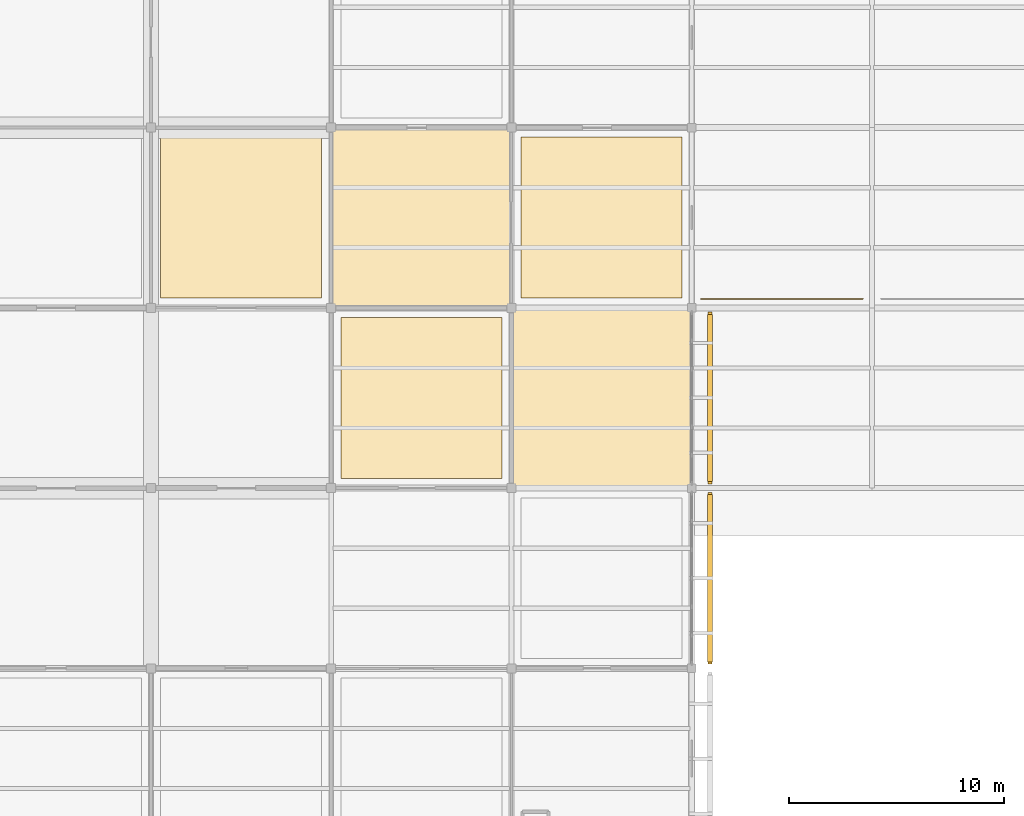
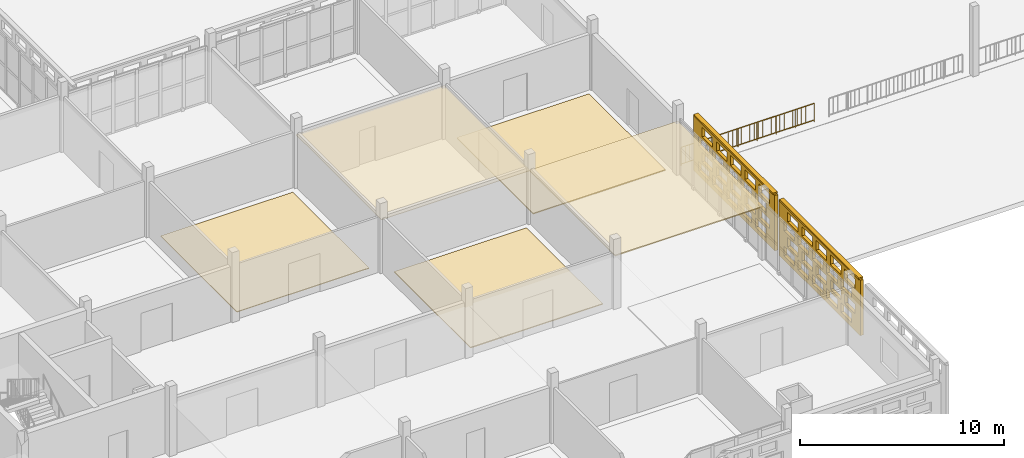
# One storey, part 118 of 166: 7 coverings, 2 shading devices, 1 railing, 40 openings.
"""IFC4 building model written with IfcOpenShell, lengths in metres."""

from ifc_helpers import new_model, si_unit, direction, frame, frame_2d, origin, origin_2d, place, context, subcontext, project, spatial, rectangle, circle, extrude, material, layer, layer_set, type_object, element, save


model = new_model("IFC4")

# Units and contexts
model_context = context("Model", 3, precision=1e-05, world=origin(), true_north=direction((0.0, 1.0)))
body_context = subcontext(model_context, "Body", "Model", "MODEL_VIEW")
ifc_project = project(units=[si_unit("LENGTHUNIT", "METRE"), si_unit("AREAUNIT", "SQUARE_METRE"), si_unit("VOLUMEUNIT", "CUBIC_METRE"), si_unit("PLANEANGLEUNIT", "RADIAN"), si_unit("MASSUNIT", "GRAM", prefix="KILO")], contexts=[model_context])

# Site, building, storey
site_placement = place(None, origin())
site = spatial("IfcSite", under=ifc_project, at=site_placement, CompositionType="ELEMENT")
building_placement = place(site_placement, origin())
building = spatial("IfcBuilding", under=site, at=building_placement, Name="Varnapada Polytechnic", CompositionType="ELEMENT")
storey_placement = place(building_placement, frame((0.0, 0.0, 9.60009765625)))
storey = spatial("IfcBuildingStorey", under=building, at=storey_placement, Name="L02", CompositionType="ELEMENT", Elevation=9.60009765625)

# Coverings
ifc_material_1 = material(Name="End-Grain Timber Studio Block Flooring", Category="wood")
ifc_layer_1 = layer(ifc_material_1, 0.054931640625)
ifc_layer_set_1 = layer_set([ifc_layer_1], Name="End-Grain Timber Studio Block Flooring")
covering_type_1 = type_object("IfcCoveringType", Name="Floor Finish FLR-04", PredefinedType="FLOORING", material=ifc_layer_set_1)
for number, where, z_axis, x_axis, name in (
    (1, (46.199951171875, 21.0, 0.0), (0.0, 0.0, 1.0), (1.0, 0.0, 0.0), "L02 floor finish panel (6,3)"),
    (2, (54.60009765625, 29.39990234375, 0.0), (0.0, 0.0, 1.0), (1.0, 0.0, 0.0), "L02 floor finish panel (7,4)"),
):
    element("IfcCovering", number, at=place(storey_placement, frame(where, z_axis=z_axis, x_axis=x_axis)), inside=storey, type_object=covering_type_1, Name=name, PredefinedType="FLOORING", context=body_context, shape_type="SweptSolid", body=[
        extrude(rectangle(XDim=7.5, YDim=7.5, at=origin_2d()), origin(), (0.0, 0.0, 1.0), 0.054931640625),
    ])
ifc_material_2 = material(Name="Acoustic Rubber Seminar Flooring")
ifc_layer_2 = layer(ifc_material_2, 0.0400390625)
ifc_layer_set_2 = layer_set([ifc_layer_2], Name="Acoustic Rubber Seminar Flooring")
covering_type_2 = type_object("IfcCoveringType", Name="Floor Finish FLR-06", PredefinedType="FLOORING", material=ifc_layer_set_2)
covering_1_placement = place(storey_placement, frame((37.800048828125, 29.39990234375, 0.0), z_axis=(0.0, 0.0, 1.0), x_axis=(1.0, 0.0, 0.0)))
element("IfcCovering", 3, at=covering_1_placement, inside=storey, type_object=covering_type_2, Name="L02 floor finish panel (5,4)", PredefinedType="FLOORING", context=body_context, shape_type="SweptSolid", body=[
    extrude(rectangle(XDim=7.5, YDim=7.5, at=origin_2d()), origin(), (0.0, 0.0, 1.0), 0.0400390625),
])
ifc_material_3 = material(Name="Moisture-Resistant Aluminum Baffle Ceiling", Category="aluminium")
ifc_layer_3 = layer(ifc_material_3, 0.030029296875)
ifc_layer_set_3 = layer_set([ifc_layer_3], Name="Moisture-Resistant Aluminum Baffle Ceiling")
covering_type_3 = type_object("IfcCoveringType", Name="Suspended Ceiling CLG-03", PredefinedType="CEILING", material=ifc_layer_set_3)
covering_2_placement = place(storey_placement, frame((46.199951171875, 29.39990234375, 3.03466796875), z_axis=(0.0, 0.0, 1.0), x_axis=(1.0, 0.0, 0.0)))
element("IfcCovering", 4, at=covering_2_placement, inside=storey, type_object=covering_type_3, Name="L02 suspended acoustic ceiling (6,4)", PredefinedType="CEILING", context=body_context, shape_type="SweptSolid", body=[
    extrude(rectangle(XDim=8.419921875, YDim=8.419921875, at=origin_2d()), origin(), (0.0, 0.0, 1.0), 0.030029296875),
])
ifc_material_4 = material(Name="Deep Acoustic Auditorium Cloud Baffle")
ifc_layer_4 = layer(ifc_material_4, 0.06494140625)
ifc_layer_set_4 = layer_set([ifc_layer_4], Name="Deep Acoustic Auditorium Cloud Baffle")
covering_type_4 = type_object("IfcCoveringType", Name="Suspended Ceiling CLG-07", PredefinedType="CEILING", material=ifc_layer_set_4)
covering_3_placement = place(storey_placement, frame((54.60009765625, 21.0, 3.017333984375), z_axis=(0.0, 0.0, 1.0), x_axis=(1.0, 0.0, 0.0)))
element("IfcCovering", 5, at=covering_3_placement, inside=storey, type_object=covering_type_4, Name="L02 suspended acoustic ceiling (7,3)", PredefinedType="CEILING", context=body_context, shape_type="SweptSolid", body=[
    extrude(rectangle(XDim=8.419921875, YDim=8.419921875, at=origin_2d()), origin(), (0.0, 0.0, 1.0), 0.06494140625),
])

# Railing
ifc_material_5 = material(Name="Painted galvanized steel", Category="steel")
railing_type = type_object("IfcRailingType", Name="Terrace Guard Rail GRD-01", PredefinedType="BALUSTRADE", material=ifc_material_5)
railing_placement = place(storey_placement, frame((59.219970703125, 25.6201171875, 0.0)))
element("IfcRailing", 6, at=railing_placement, inside=storey, type_object=railing_type, Name="L02 terrace perimeter guard rail 1", PredefinedType="BALUSTRADE", context=body_context, shape_type="SweptSolid", body=[
    extrude(circle(Radius=0.02392578125, at=origin_2d()), frame((0.0, 0.0, 1.09619140625), z_axis=(1.0, 0.0, 0.0), x_axis=(0.0, 1.0, 0.0)), (0.0, 0.0, 1.0), 7.56005859375),
    extrude(circle(Radius=0.02392578125, at=origin_2d()), frame((0.0, 0.0, 0.10009765625), z_axis=(1.0, 0.0, 0.0), x_axis=(0.0, 1.0, 0.0)), (0.0, 0.0, 1.0), 7.56005859375),
    extrude(circle(Radius=0.02099609375, at=origin_2d()), origin(), (0.0, 0.0, 1.0), 1.072021484375),
    extrude(circle(Radius=0.02099609375, at=origin_2d()), frame((1.080078125, 0.0, 0.0)), (0.0, 0.0, 1.0), 1.072021484375),
    extrude(circle(Radius=0.02099609375, at=origin_2d()), frame((2.159912109375, 0.0, 0.0)), (0.0, 0.0, 1.0), 1.072021484375),
    extrude(circle(Radius=0.02099609375, at=origin_2d()), frame((3.239990234375, 0.0, 0.0)), (0.0, 0.0, 1.0), 1.072021484375),
    extrude(circle(Radius=0.02099609375, at=origin_2d()), frame((4.320068359375, 0.0, 0.0)), (0.0, 0.0, 1.0), 1.072021484375),
    extrude(circle(Radius=0.02099609375, at=origin_2d()), frame((5.400146484375, 0.0, 0.0)), (0.0, 0.0, 1.0), 1.072021484375),
    extrude(circle(Radius=0.02099609375, at=origin_2d()), frame((6.47998046875, 0.0, 0.0)), (0.0, 0.0, 1.0), 1.072021484375),
    extrude(circle(Radius=0.02099609375, at=origin_2d()), frame((7.56005859375, 0.0, 0.0)), (0.0, 0.0, 1.0), 1.072021484375),
    extrude(circle(Radius=0.010009765625, at=origin_2d()), frame((0.243896484375, 0.0, 0.10009765625)), (0.0, 0.0, 1.0), 0.971923828125),
    extrude(circle(Radius=0.010009765625, at=origin_2d()), frame((0.48779296875, 0.0, 0.10009765625)), (0.0, 0.0, 1.0), 0.971923828125),
    extrude(circle(Radius=0.010009765625, at=origin_2d()), frame((0.731689453125, 0.0, 0.10009765625)), (0.0, 0.0, 1.0), 0.971923828125),
    extrude(circle(Radius=0.010009765625, at=origin_2d()), frame((0.9755859375, 0.0, 0.10009765625)), (0.0, 0.0, 1.0), 0.971923828125),
    extrude(circle(Radius=0.010009765625, at=origin_2d()), frame((1.219482421875, 0.0, 0.10009765625)), (0.0, 0.0, 1.0), 0.971923828125),
    extrude(circle(Radius=0.010009765625, at=origin_2d()), frame((1.463134765625, 0.0, 0.10009765625)), (0.0, 0.0, 1.0), 0.971923828125),
    extrude(circle(Radius=0.010009765625, at=origin_2d()), frame((1.70703125, 0.0, 0.10009765625)), (0.0, 0.0, 1.0), 0.971923828125),
    extrude(circle(Radius=0.010009765625, at=origin_2d()), frame((1.950927734375, 0.0, 0.10009765625)), (0.0, 0.0, 1.0), 0.971923828125),
    extrude(circle(Radius=0.010009765625, at=origin_2d()), frame((2.19482421875, 0.0, 0.10009765625)), (0.0, 0.0, 1.0), 0.971923828125),
    extrude(circle(Radius=0.010009765625, at=origin_2d()), frame((2.438720703125, 0.0, 0.10009765625)), (0.0, 0.0, 1.0), 0.971923828125),
    extrude(circle(Radius=0.010009765625, at=origin_2d()), frame((2.6826171875, 0.0, 0.10009765625)), (0.0, 0.0, 1.0), 0.971923828125),
    extrude(circle(Radius=0.010009765625, at=origin_2d()), frame((2.926513671875, 0.0, 0.10009765625)), (0.0, 0.0, 1.0), 0.971923828125),
    extrude(circle(Radius=0.010009765625, at=origin_2d()), frame((3.17041015625, 0.0, 0.10009765625)), (0.0, 0.0, 1.0), 0.971923828125),
    extrude(circle(Radius=0.010009765625, at=origin_2d()), frame((3.414306640625, 0.0, 0.10009765625)), (0.0, 0.0, 1.0), 0.971923828125),
    extrude(circle(Radius=0.010009765625, at=origin_2d()), frame((3.658203125, 0.0, 0.10009765625)), (0.0, 0.0, 1.0), 0.971923828125),
    extrude(circle(Radius=0.010009765625, at=origin_2d()), frame((3.90185546875, 0.0, 0.10009765625)), (0.0, 0.0, 1.0), 0.971923828125),
    extrude(circle(Radius=0.010009765625, at=origin_2d()), frame((4.145751953125, 0.0, 0.10009765625)), (0.0, 0.0, 1.0), 0.971923828125),
    extrude(circle(Radius=0.010009765625, at=origin_2d()), frame((4.3896484375, 0.0, 0.10009765625)), (0.0, 0.0, 1.0), 0.971923828125),
    extrude(circle(Radius=0.010009765625, at=origin_2d()), frame((4.633544921875, 0.0, 0.10009765625)), (0.0, 0.0, 1.0), 0.971923828125),
    extrude(circle(Radius=0.010009765625, at=origin_2d()), frame((4.87744140625, 0.0, 0.10009765625)), (0.0, 0.0, 1.0), 0.971923828125),
    extrude(circle(Radius=0.010009765625, at=origin_2d()), frame((5.121337890625, 0.0, 0.10009765625)), (0.0, 0.0, 1.0), 0.971923828125),
    extrude(circle(Radius=0.010009765625, at=origin_2d()), frame((5.365234375, 0.0, 0.10009765625)), (0.0, 0.0, 1.0), 0.971923828125),
    extrude(circle(Radius=0.010009765625, at=origin_2d()), frame((5.609130859375, 0.0, 0.10009765625)), (0.0, 0.0, 1.0), 0.971923828125),
    extrude(circle(Radius=0.010009765625, at=origin_2d()), frame((5.85302734375, 0.0, 0.10009765625)), (0.0, 0.0, 1.0), 0.971923828125),
    extrude(circle(Radius=0.010009765625, at=origin_2d()), frame((6.096923828125, 0.0, 0.10009765625)), (0.0, 0.0, 1.0), 0.971923828125),
    extrude(circle(Radius=0.010009765625, at=origin_2d()), frame((6.340576171875, 0.0, 0.10009765625)), (0.0, 0.0, 1.0), 0.971923828125),
    extrude(circle(Radius=0.010009765625, at=origin_2d()), frame((6.58447265625, 0.0, 0.10009765625)), (0.0, 0.0, 1.0), 0.971923828125),
    extrude(circle(Radius=0.010009765625, at=origin_2d()), frame((6.828369140625, 0.0, 0.10009765625)), (0.0, 0.0, 1.0), 0.971923828125),
    extrude(circle(Radius=0.010009765625, at=origin_2d()), frame((7.072265625, 0.0, 0.10009765625)), (0.0, 0.0, 1.0), 0.971923828125),
    extrude(circle(Radius=0.010009765625, at=origin_2d()), frame((7.316162109375, 0.0, 0.10009765625)), (0.0, 0.0, 1.0), 0.971923828125),
])

# Covering, openings
ifc_material_6 = material(Name="Earth-toned architectural terracotta screen block", Category="masonry")
ifc_layer_5 = layer(ifc_material_6, 0.1201171875)
ifc_layer_set_5 = layer_set([ifc_layer_5], Name="Earth-toned architectural terracotta screen block")
covering_type_5 = type_object("IfcCoveringType", Name="Terracotta Screen Cladding CLD-01", PredefinedType="CLADDING", material=ifc_layer_set_5)
covering_4_placement = place(storey_placement, frame((59.64990234375, 16.60009765625, 0.0), z_axis=(0.0, 0.0, 1.0), x_axis=(0.0, -1.0, 0.0)))
covering_4 = element("IfcCovering", 7, at=covering_4_placement, inside=storey, type_object=covering_type_5, Name="L02 perforated terracotta block screen (40)", PredefinedType="CLADDING", context=body_context, shape_type="SweptSolid", body=[
    extrude(rectangle(XDim=8.0, YDim=0.179931640625, at=frame_2d((4.0, 0.0))), origin(), (0.0, 0.0, 1.0), 3.31982421875),
])
opening_1_placement = place(covering_4_placement, frame((0.5, 0.0, 0.265625)))
element("IfcOpeningElement", 8, at=opening_1_placement, cuts=covering_4, Name="Screen perforation TBS-L02-039.1", PredefinedType="OPENING", context=body_context, shape_type="SweptSolid", body=[
    extrude(rectangle(XDim=1.0400390625, YDim=0.5810546875, at=frame_2d((0.52001953125, 0.29052734375))), frame((0.0, 0.099853515625, 0.0), z_axis=(0.0, -1.0, 0.0), x_axis=(1.0, 0.0, 0.0)), (0.0, 0.0, 1.0), 0.199951171875),
])
opening_2_placement = place(covering_4_placement, frame((1.89990234375, 0.0, 0.265625)))
element("IfcOpeningElement", 9, at=opening_2_placement, cuts=covering_4, Name="Screen perforation TBS-L02-039.2", PredefinedType="OPENING", context=body_context, shape_type="SweptSolid", body=[
    extrude(rectangle(XDim=1.0400390625, YDim=0.5810546875, at=frame_2d((0.52001953125, 0.29052734375))), frame((0.0, 0.099853515625, 0.0), z_axis=(0.0, -1.0, 0.0), x_axis=(1.0, 0.0, 0.0)), (0.0, 0.0, 1.0), 0.199951171875),
])
opening_3_placement = place(covering_4_placement, frame((3.300048828125, 0.0, 0.265625)))
element("IfcOpeningElement", 10, at=opening_3_placement, cuts=covering_4, Name="Screen perforation TBS-L02-039.3", PredefinedType="OPENING", context=body_context, shape_type="SweptSolid", body=[
    extrude(rectangle(XDim=1.0400390625, YDim=0.5810546875, at=frame_2d((0.52001953125, 0.29052734375))), frame((0.0, 0.099853515625, 0.0), z_axis=(0.0, -1.0, 0.0), x_axis=(1.0, 0.0, 0.0)), (0.0, 0.0, 1.0), 0.199951171875),
])
opening_4_placement = place(covering_4_placement, frame((4.699951171875, 0.0, 0.265625)))
element("IfcOpeningElement", 11, at=opening_4_placement, cuts=covering_4, Name="Screen perforation TBS-L02-039.4", PredefinedType="OPENING", context=body_context, shape_type="SweptSolid", body=[
    extrude(rectangle(XDim=1.0400390625, YDim=0.5810546875, at=frame_2d((0.52001953125, 0.29052734375))), frame((0.0, 0.099853515625, 0.0), z_axis=(0.0, -1.0, 0.0), x_axis=(1.0, 0.0, 0.0)), (0.0, 0.0, 1.0), 0.199951171875),
])
opening_5_placement = place(covering_4_placement, frame((6.10009765625, 0.0, 0.265625)))
element("IfcOpeningElement", 12, at=opening_5_placement, cuts=covering_4, Name="Screen perforation TBS-L02-039.5", PredefinedType="OPENING", context=body_context, shape_type="SweptSolid", body=[
    extrude(rectangle(XDim=1.0400390625, YDim=0.5810546875, at=frame_2d((0.52001953125, 0.29052734375))), frame((0.0, 0.099853515625, 0.0), z_axis=(0.0, -1.0, 0.0), x_axis=(1.0, 0.0, 0.0)), (0.0, 0.0, 1.0), 0.199951171875),
])
opening_6_placement = place(covering_4_placement, frame((0.860107421875, 0.0, 1.0126953125)))
element("IfcOpeningElement", 13, at=opening_6_placement, cuts=covering_4, Name="Screen perforation TBS-L02-039.6", PredefinedType="OPENING", context=body_context, shape_type="SweptSolid", body=[
    extrude(rectangle(XDim=1.0400390625, YDim=0.5810546875, at=frame_2d((0.52001953125, 0.29052734375))), frame((0.0, 0.099853515625, 0.0), z_axis=(0.0, -1.0, 0.0), x_axis=(1.0, 0.0, 0.0)), (0.0, 0.0, 1.0), 0.199951171875),
])
opening_7_placement = place(covering_4_placement, frame((2.260009765625, 0.0, 1.0126953125)))
element("IfcOpeningElement", 14, at=opening_7_placement, cuts=covering_4, Name="Screen perforation TBS-L02-039.7", PredefinedType="OPENING", context=body_context, shape_type="SweptSolid", body=[
    extrude(rectangle(XDim=1.0400390625, YDim=0.5810546875, at=frame_2d((0.52001953125, 0.29052734375))), frame((0.0, 0.099853515625, 0.0), z_axis=(0.0, -1.0, 0.0), x_axis=(1.0, 0.0, 0.0)), (0.0, 0.0, 1.0), 0.199951171875),
])
opening_8_placement = place(covering_4_placement, frame((3.659912109375, 0.0, 1.0126953125)))
element("IfcOpeningElement", 15, at=opening_8_placement, cuts=covering_4, Name="Screen perforation TBS-L02-039.8", PredefinedType="OPENING", context=body_context, shape_type="SweptSolid", body=[
    extrude(rectangle(XDim=1.0400390625, YDim=0.5810546875, at=frame_2d((0.52001953125, 0.29052734375))), frame((0.0, 0.099853515625, 0.0), z_axis=(0.0, -1.0, 0.0), x_axis=(1.0, 0.0, 0.0)), (0.0, 0.0, 1.0), 0.199951171875),
])
opening_9_placement = place(covering_4_placement, frame((5.06005859375, 0.0, 1.0126953125)))
element("IfcOpeningElement", 16, at=opening_9_placement, cuts=covering_4, Name="Screen perforation TBS-L02-039.9", PredefinedType="OPENING", context=body_context, shape_type="SweptSolid", body=[
    extrude(rectangle(XDim=1.0400390625, YDim=0.5810546875, at=frame_2d((0.52001953125, 0.29052734375))), frame((0.0, 0.099853515625, 0.0), z_axis=(0.0, -1.0, 0.0), x_axis=(1.0, 0.0, 0.0)), (0.0, 0.0, 1.0), 0.199951171875),
])
opening_10_placement = place(covering_4_placement, frame((6.4599609375, 0.0, 1.0126953125)))
element("IfcOpeningElement", 17, at=opening_10_placement, cuts=covering_4, Name="Screen perforation TBS-L02-039.10", PredefinedType="OPENING", context=body_context, shape_type="SweptSolid", body=[
    extrude(rectangle(XDim=1.0400390625, YDim=0.5810546875, at=frame_2d((0.52001953125, 0.29052734375))), frame((0.0, 0.099853515625, 0.0), z_axis=(0.0, -1.0, 0.0), x_axis=(1.0, 0.0, 0.0)), (0.0, 0.0, 1.0), 0.199951171875),
])
opening_11_placement = place(covering_4_placement, frame((0.5, 0.0, 1.759521484375)))
element("IfcOpeningElement", 18, at=opening_11_placement, cuts=covering_4, Name="Screen perforation TBS-L02-039.11", PredefinedType="OPENING", context=body_context, shape_type="SweptSolid", body=[
    extrude(rectangle(XDim=1.0400390625, YDim=0.5810546875, at=frame_2d((0.52001953125, 0.29052734375))), frame((0.0, 0.099853515625, 0.0), z_axis=(0.0, -1.0, 0.0), x_axis=(1.0, 0.0, 0.0)), (0.0, 0.0, 1.0), 0.199951171875),
])
opening_12_placement = place(covering_4_placement, frame((1.89990234375, 0.0, 1.759521484375)))
element("IfcOpeningElement", 19, at=opening_12_placement, cuts=covering_4, Name="Screen perforation TBS-L02-039.12", PredefinedType="OPENING", context=body_context, shape_type="SweptSolid", body=[
    extrude(rectangle(XDim=1.0400390625, YDim=0.5810546875, at=frame_2d((0.52001953125, 0.29052734375))), frame((0.0, 0.099853515625, 0.0), z_axis=(0.0, -1.0, 0.0), x_axis=(1.0, 0.0, 0.0)), (0.0, 0.0, 1.0), 0.199951171875),
])
opening_13_placement = place(covering_4_placement, frame((3.300048828125, 0.0, 1.759521484375)))
element("IfcOpeningElement", 20, at=opening_13_placement, cuts=covering_4, Name="Screen perforation TBS-L02-039.13", PredefinedType="OPENING", context=body_context, shape_type="SweptSolid", body=[
    extrude(rectangle(XDim=1.0400390625, YDim=0.5810546875, at=frame_2d((0.52001953125, 0.29052734375))), frame((0.0, 0.099853515625, 0.0), z_axis=(0.0, -1.0, 0.0), x_axis=(1.0, 0.0, 0.0)), (0.0, 0.0, 1.0), 0.199951171875),
])
opening_14_placement = place(covering_4_placement, frame((4.699951171875, 0.0, 1.759521484375)))
element("IfcOpeningElement", 21, at=opening_14_placement, cuts=covering_4, Name="Screen perforation TBS-L02-039.14", PredefinedType="OPENING", context=body_context, shape_type="SweptSolid", body=[
    extrude(rectangle(XDim=1.0400390625, YDim=0.5810546875, at=frame_2d((0.52001953125, 0.29052734375))), frame((0.0, 0.099853515625, 0.0), z_axis=(0.0, -1.0, 0.0), x_axis=(1.0, 0.0, 0.0)), (0.0, 0.0, 1.0), 0.199951171875),
])
opening_15_placement = place(covering_4_placement, frame((6.10009765625, 0.0, 1.759521484375)))
element("IfcOpeningElement", 22, at=opening_15_placement, cuts=covering_4, Name="Screen perforation TBS-L02-039.15", PredefinedType="OPENING", context=body_context, shape_type="SweptSolid", body=[
    extrude(rectangle(XDim=1.0400390625, YDim=0.5810546875, at=frame_2d((0.52001953125, 0.29052734375))), frame((0.0, 0.099853515625, 0.0), z_axis=(0.0, -1.0, 0.0), x_axis=(1.0, 0.0, 0.0)), (0.0, 0.0, 1.0), 0.199951171875),
])
opening_16_placement = place(covering_4_placement, frame((0.860107421875, 0.0, 2.506591796875)))
element("IfcOpeningElement", 23, at=opening_16_placement, cuts=covering_4, Name="Screen perforation TBS-L02-039.16", PredefinedType="OPENING", context=body_context, shape_type="SweptSolid", body=[
    extrude(rectangle(XDim=1.0400390625, YDim=0.5810546875, at=frame_2d((0.52001953125, 0.29052734375))), frame((0.0, 0.099853515625, 0.0), z_axis=(0.0, -1.0, 0.0), x_axis=(1.0, 0.0, 0.0)), (0.0, 0.0, 1.0), 0.199951171875),
])
opening_17_placement = place(covering_4_placement, frame((2.260009765625, 0.0, 2.506591796875)))
element("IfcOpeningElement", 24, at=opening_17_placement, cuts=covering_4, Name="Screen perforation TBS-L02-039.17", PredefinedType="OPENING", context=body_context, shape_type="SweptSolid", body=[
    extrude(rectangle(XDim=1.0400390625, YDim=0.5810546875, at=frame_2d((0.52001953125, 0.29052734375))), frame((0.0, 0.099853515625, 0.0), z_axis=(0.0, -1.0, 0.0), x_axis=(1.0, 0.0, 0.0)), (0.0, 0.0, 1.0), 0.199951171875),
])
opening_18_placement = place(covering_4_placement, frame((3.659912109375, 0.0, 2.506591796875)))
element("IfcOpeningElement", 25, at=opening_18_placement, cuts=covering_4, Name="Screen perforation TBS-L02-039.18", PredefinedType="OPENING", context=body_context, shape_type="SweptSolid", body=[
    extrude(rectangle(XDim=1.0400390625, YDim=0.5810546875, at=frame_2d((0.52001953125, 0.29052734375))), frame((0.0, 0.099853515625, 0.0), z_axis=(0.0, -1.0, 0.0), x_axis=(1.0, 0.0, 0.0)), (0.0, 0.0, 1.0), 0.199951171875),
])
opening_19_placement = place(covering_4_placement, frame((5.06005859375, 0.0, 2.506591796875)))
element("IfcOpeningElement", 26, at=opening_19_placement, cuts=covering_4, Name="Screen perforation TBS-L02-039.19", PredefinedType="OPENING", context=body_context, shape_type="SweptSolid", body=[
    extrude(rectangle(XDim=1.0400390625, YDim=0.5810546875, at=frame_2d((0.52001953125, 0.29052734375))), frame((0.0, 0.099853515625, 0.0), z_axis=(0.0, -1.0, 0.0), x_axis=(1.0, 0.0, 0.0)), (0.0, 0.0, 1.0), 0.199951171875),
])
opening_20_placement = place(covering_4_placement, frame((6.4599609375, 0.0, 2.506591796875)))
element("IfcOpeningElement", 27, at=opening_20_placement, cuts=covering_4, Name="Screen perforation TBS-L02-039.20", PredefinedType="OPENING", context=body_context, shape_type="SweptSolid", body=[
    extrude(rectangle(XDim=1.0400390625, YDim=0.5810546875, at=frame_2d((0.52001953125, 0.29052734375))), frame((0.0, 0.099853515625, 0.0), z_axis=(0.0, -1.0, 0.0), x_axis=(1.0, 0.0, 0.0)), (0.0, 0.0, 1.0), 0.199951171875),
])

covering_5_placement = place(storey_placement, frame((59.64990234375, 25.0, 0.0), z_axis=(0.0, 0.0, 1.0), x_axis=(0.0, -1.0, 0.0)))
covering_5 = element("IfcCovering", 28, at=covering_5_placement, inside=storey, type_object=covering_type_5, Name="L02 perforated terracotta block screen (41)", PredefinedType="CLADDING", context=body_context, shape_type="SweptSolid", body=[
    extrude(rectangle(XDim=8.0, YDim=0.179931640625, at=frame_2d((4.0, 0.0))), origin(), (0.0, 0.0, 1.0), 3.31982421875),
])
opening_21_placement = place(covering_5_placement, frame((0.5, 0.0, 0.265625)))
element("IfcOpeningElement", 29, at=opening_21_placement, cuts=covering_5, Name="Screen perforation TBS-L02-040.1", PredefinedType="OPENING", context=body_context, shape_type="SweptSolid", body=[
    extrude(rectangle(XDim=1.0400390625, YDim=0.5810546875, at=frame_2d((0.52001953125, 0.29052734375))), frame((0.0, 0.099853515625, 0.0), z_axis=(0.0, -1.0, 0.0), x_axis=(1.0, 0.0, 0.0)), (0.0, 0.0, 1.0), 0.199951171875),
])
opening_22_placement = place(covering_5_placement, frame((1.89990234375, 0.0, 0.265625)))
element("IfcOpeningElement", 30, at=opening_22_placement, cuts=covering_5, Name="Screen perforation TBS-L02-040.2", PredefinedType="OPENING", context=body_context, shape_type="SweptSolid", body=[
    extrude(rectangle(XDim=1.0400390625, YDim=0.5810546875, at=frame_2d((0.52001953125, 0.29052734375))), frame((0.0, 0.099853515625, 0.0), z_axis=(0.0, -1.0, 0.0), x_axis=(1.0, 0.0, 0.0)), (0.0, 0.0, 1.0), 0.199951171875),
])
opening_23_placement = place(covering_5_placement, frame((3.300048828125, 0.0, 0.265625)))
element("IfcOpeningElement", 31, at=opening_23_placement, cuts=covering_5, Name="Screen perforation TBS-L02-040.3", PredefinedType="OPENING", context=body_context, shape_type="SweptSolid", body=[
    extrude(rectangle(XDim=1.0400390625, YDim=0.5810546875, at=frame_2d((0.52001953125, 0.29052734375))), frame((0.0, 0.099853515625, 0.0), z_axis=(0.0, -1.0, 0.0), x_axis=(1.0, 0.0, 0.0)), (0.0, 0.0, 1.0), 0.199951171875),
])
opening_24_placement = place(covering_5_placement, frame((4.699951171875, 0.0, 0.265625)))
element("IfcOpeningElement", 32, at=opening_24_placement, cuts=covering_5, Name="Screen perforation TBS-L02-040.4", PredefinedType="OPENING", context=body_context, shape_type="SweptSolid", body=[
    extrude(rectangle(XDim=1.0400390625, YDim=0.5810546875, at=frame_2d((0.52001953125, 0.29052734375))), frame((0.0, 0.099853515625, 0.0), z_axis=(0.0, -1.0, 0.0), x_axis=(1.0, 0.0, 0.0)), (0.0, 0.0, 1.0), 0.199951171875),
])
opening_25_placement = place(covering_5_placement, frame((6.10009765625, 0.0, 0.265625)))
element("IfcOpeningElement", 33, at=opening_25_placement, cuts=covering_5, Name="Screen perforation TBS-L02-040.5", PredefinedType="OPENING", context=body_context, shape_type="SweptSolid", body=[
    extrude(rectangle(XDim=1.0400390625, YDim=0.5810546875, at=frame_2d((0.52001953125, 0.29052734375))), frame((0.0, 0.099853515625, 0.0), z_axis=(0.0, -1.0, 0.0), x_axis=(1.0, 0.0, 0.0)), (0.0, 0.0, 1.0), 0.199951171875),
])
opening_26_placement = place(covering_5_placement, frame((0.860107421875, 0.0, 1.0126953125)))
element("IfcOpeningElement", 34, at=opening_26_placement, cuts=covering_5, Name="Screen perforation TBS-L02-040.6", PredefinedType="OPENING", context=body_context, shape_type="SweptSolid", body=[
    extrude(rectangle(XDim=1.0400390625, YDim=0.5810546875, at=frame_2d((0.52001953125, 0.29052734375))), frame((0.0, 0.099853515625, 0.0), z_axis=(0.0, -1.0, 0.0), x_axis=(1.0, 0.0, 0.0)), (0.0, 0.0, 1.0), 0.199951171875),
])
opening_27_placement = place(covering_5_placement, frame((2.260009765625, 0.0, 1.0126953125)))
element("IfcOpeningElement", 35, at=opening_27_placement, cuts=covering_5, Name="Screen perforation TBS-L02-040.7", PredefinedType="OPENING", context=body_context, shape_type="SweptSolid", body=[
    extrude(rectangle(XDim=1.0400390625, YDim=0.5810546875, at=frame_2d((0.52001953125, 0.29052734375))), frame((0.0, 0.099853515625, 0.0), z_axis=(0.0, -1.0, 0.0), x_axis=(1.0, 0.0, 0.0)), (0.0, 0.0, 1.0), 0.199951171875),
])
opening_28_placement = place(covering_5_placement, frame((3.659912109375, 0.0, 1.0126953125)))
element("IfcOpeningElement", 36, at=opening_28_placement, cuts=covering_5, Name="Screen perforation TBS-L02-040.8", PredefinedType="OPENING", context=body_context, shape_type="SweptSolid", body=[
    extrude(rectangle(XDim=1.0400390625, YDim=0.5810546875, at=frame_2d((0.52001953125, 0.29052734375))), frame((0.0, 0.099853515625, 0.0), z_axis=(0.0, -1.0, 0.0), x_axis=(1.0, 0.0, 0.0)), (0.0, 0.0, 1.0), 0.199951171875),
])
opening_29_placement = place(covering_5_placement, frame((5.06005859375, 0.0, 1.0126953125)))
element("IfcOpeningElement", 37, at=opening_29_placement, cuts=covering_5, Name="Screen perforation TBS-L02-040.9", PredefinedType="OPENING", context=body_context, shape_type="SweptSolid", body=[
    extrude(rectangle(XDim=1.0400390625, YDim=0.5810546875, at=frame_2d((0.52001953125, 0.29052734375))), frame((0.0, 0.099853515625, 0.0), z_axis=(0.0, -1.0, 0.0), x_axis=(1.0, 0.0, 0.0)), (0.0, 0.0, 1.0), 0.199951171875),
])
opening_30_placement = place(covering_5_placement, frame((6.4599609375, 0.0, 1.0126953125)))
element("IfcOpeningElement", 38, at=opening_30_placement, cuts=covering_5, Name="Screen perforation TBS-L02-040.10", PredefinedType="OPENING", context=body_context, shape_type="SweptSolid", body=[
    extrude(rectangle(XDim=1.0400390625, YDim=0.5810546875, at=frame_2d((0.52001953125, 0.29052734375))), frame((0.0, 0.099853515625, 0.0), z_axis=(0.0, -1.0, 0.0), x_axis=(1.0, 0.0, 0.0)), (0.0, 0.0, 1.0), 0.199951171875),
])
opening_31_placement = place(covering_5_placement, frame((0.5, 0.0, 1.759521484375)))
element("IfcOpeningElement", 39, at=opening_31_placement, cuts=covering_5, Name="Screen perforation TBS-L02-040.11", PredefinedType="OPENING", context=body_context, shape_type="SweptSolid", body=[
    extrude(rectangle(XDim=1.0400390625, YDim=0.5810546875, at=frame_2d((0.52001953125, 0.29052734375))), frame((0.0, 0.099853515625, 0.0), z_axis=(0.0, -1.0, 0.0), x_axis=(1.0, 0.0, 0.0)), (0.0, 0.0, 1.0), 0.199951171875),
])
opening_32_placement = place(covering_5_placement, frame((1.89990234375, 0.0, 1.759521484375)))
element("IfcOpeningElement", 40, at=opening_32_placement, cuts=covering_5, Name="Screen perforation TBS-L02-040.12", PredefinedType="OPENING", context=body_context, shape_type="SweptSolid", body=[
    extrude(rectangle(XDim=1.0400390625, YDim=0.5810546875, at=frame_2d((0.52001953125, 0.29052734375))), frame((0.0, 0.099853515625, 0.0), z_axis=(0.0, -1.0, 0.0), x_axis=(1.0, 0.0, 0.0)), (0.0, 0.0, 1.0), 0.199951171875),
])
opening_33_placement = place(covering_5_placement, frame((3.300048828125, 0.0, 1.759521484375)))
element("IfcOpeningElement", 41, at=opening_33_placement, cuts=covering_5, Name="Screen perforation TBS-L02-040.13", PredefinedType="OPENING", context=body_context, shape_type="SweptSolid", body=[
    extrude(rectangle(XDim=1.0400390625, YDim=0.5810546875, at=frame_2d((0.52001953125, 0.29052734375))), frame((0.0, 0.099853515625, 0.0), z_axis=(0.0, -1.0, 0.0), x_axis=(1.0, 0.0, 0.0)), (0.0, 0.0, 1.0), 0.199951171875),
])
opening_34_placement = place(covering_5_placement, frame((4.699951171875, 0.0, 1.759521484375)))
element("IfcOpeningElement", 42, at=opening_34_placement, cuts=covering_5, Name="Screen perforation TBS-L02-040.14", PredefinedType="OPENING", context=body_context, shape_type="SweptSolid", body=[
    extrude(rectangle(XDim=1.0400390625, YDim=0.5810546875, at=frame_2d((0.52001953125, 0.29052734375))), frame((0.0, 0.099853515625, 0.0), z_axis=(0.0, -1.0, 0.0), x_axis=(1.0, 0.0, 0.0)), (0.0, 0.0, 1.0), 0.199951171875),
])
opening_35_placement = place(covering_5_placement, frame((6.10009765625, 0.0, 1.759521484375)))
element("IfcOpeningElement", 43, at=opening_35_placement, cuts=covering_5, Name="Screen perforation TBS-L02-040.15", PredefinedType="OPENING", context=body_context, shape_type="SweptSolid", body=[
    extrude(rectangle(XDim=1.0400390625, YDim=0.5810546875, at=frame_2d((0.52001953125, 0.29052734375))), frame((0.0, 0.099853515625, 0.0), z_axis=(0.0, -1.0, 0.0), x_axis=(1.0, 0.0, 0.0)), (0.0, 0.0, 1.0), 0.199951171875),
])
opening_36_placement = place(covering_5_placement, frame((0.860107421875, 0.0, 2.506591796875)))
element("IfcOpeningElement", 44, at=opening_36_placement, cuts=covering_5, Name="Screen perforation TBS-L02-040.16", PredefinedType="OPENING", context=body_context, shape_type="SweptSolid", body=[
    extrude(rectangle(XDim=1.0400390625, YDim=0.5810546875, at=frame_2d((0.52001953125, 0.29052734375))), frame((0.0, 0.099853515625, 0.0), z_axis=(0.0, -1.0, 0.0), x_axis=(1.0, 0.0, 0.0)), (0.0, 0.0, 1.0), 0.199951171875),
])
opening_37_placement = place(covering_5_placement, frame((2.260009765625, 0.0, 2.506591796875)))
element("IfcOpeningElement", 45, at=opening_37_placement, cuts=covering_5, Name="Screen perforation TBS-L02-040.17", PredefinedType="OPENING", context=body_context, shape_type="SweptSolid", body=[
    extrude(rectangle(XDim=1.0400390625, YDim=0.5810546875, at=frame_2d((0.52001953125, 0.29052734375))), frame((0.0, 0.099853515625, 0.0), z_axis=(0.0, -1.0, 0.0), x_axis=(1.0, 0.0, 0.0)), (0.0, 0.0, 1.0), 0.199951171875),
])
opening_38_placement = place(covering_5_placement, frame((3.659912109375, 0.0, 2.506591796875)))
element("IfcOpeningElement", 46, at=opening_38_placement, cuts=covering_5, Name="Screen perforation TBS-L02-040.18", PredefinedType="OPENING", context=body_context, shape_type="SweptSolid", body=[
    extrude(rectangle(XDim=1.0400390625, YDim=0.5810546875, at=frame_2d((0.52001953125, 0.29052734375))), frame((0.0, 0.099853515625, 0.0), z_axis=(0.0, -1.0, 0.0), x_axis=(1.0, 0.0, 0.0)), (0.0, 0.0, 1.0), 0.199951171875),
])
opening_39_placement = place(covering_5_placement, frame((5.06005859375, 0.0, 2.506591796875)))
element("IfcOpeningElement", 47, at=opening_39_placement, cuts=covering_5, Name="Screen perforation TBS-L02-040.19", PredefinedType="OPENING", context=body_context, shape_type="SweptSolid", body=[
    extrude(rectangle(XDim=1.0400390625, YDim=0.5810546875, at=frame_2d((0.52001953125, 0.29052734375))), frame((0.0, 0.099853515625, 0.0), z_axis=(0.0, -1.0, 0.0), x_axis=(1.0, 0.0, 0.0)), (0.0, 0.0, 1.0), 0.199951171875),
])
opening_40_placement = place(covering_5_placement, frame((6.4599609375, 0.0, 2.506591796875)))
element("IfcOpeningElement", 48, at=opening_40_placement, cuts=covering_5, Name="Screen perforation TBS-L02-040.20", PredefinedType="OPENING", context=body_context, shape_type="SweptSolid", body=[
    extrude(rectangle(XDim=1.0400390625, YDim=0.5810546875, at=frame_2d((0.52001953125, 0.29052734375))), frame((0.0, 0.099853515625, 0.0), z_axis=(0.0, -1.0, 0.0), x_axis=(1.0, 0.0, 0.0)), (0.0, 0.0, 1.0), 0.199951171875),
])

# Shading devices
ifc_layer_6 = layer(ifc_material_6, 0.179931640625)
ifc_layer_set_6 = layer_set([ifc_layer_6], Name="Earth-toned architectural terracotta screen block")
shading_device_type = type_object("IfcShadingDeviceType", Name="Terracotta Screen SCR-01", PredefinedType="USERDEFINED", material=ifc_layer_set_6)
for number, where, z_axis, x_axis, name in (
    (49, (59.64990234375, 12.60009765625, 3.309814453125), (0.0, 0.0, 1.0), (0.0, -1.0, 0.0), "L02 perforated terracotta screen hood 269"),
    (50, (59.64990234375, 21.0, 3.309814453125), (0.0, 0.0, 1.0), (0.0, -1.0, 0.0), "L02 perforated terracotta screen hood 270"),
):
    element("IfcShadingDevice", number, at=place(storey_placement, frame(where, z_axis=z_axis, x_axis=x_axis)), inside=storey, type_object=shading_device_type, Name=name, ObjectType="SCREEN", PredefinedType="USERDEFINED", context=body_context, shape_type="SweptSolid", body=[
        extrude(rectangle(XDim=7.800048828125, YDim=0.239990234375, at=origin_2d()), origin(), (0.0, 0.0, 1.0), 0.10009765625),
    ])

save(model, "model.ifc")
